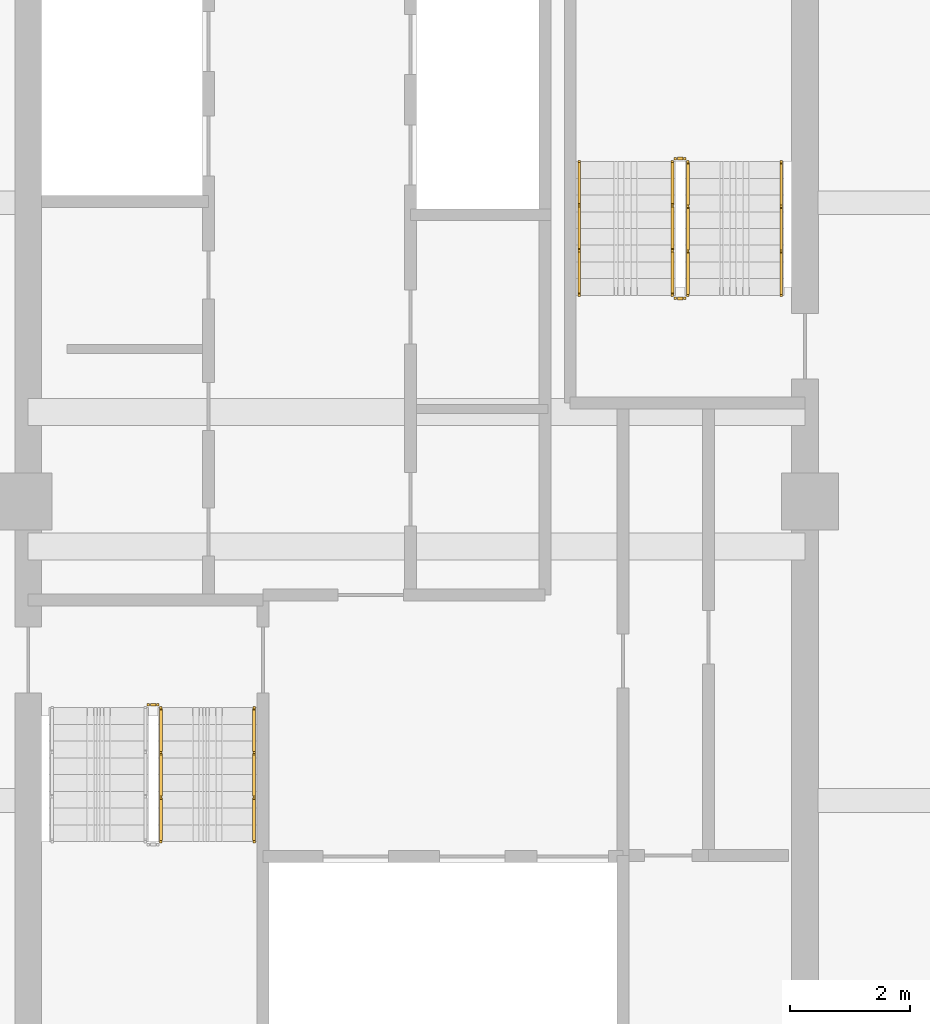
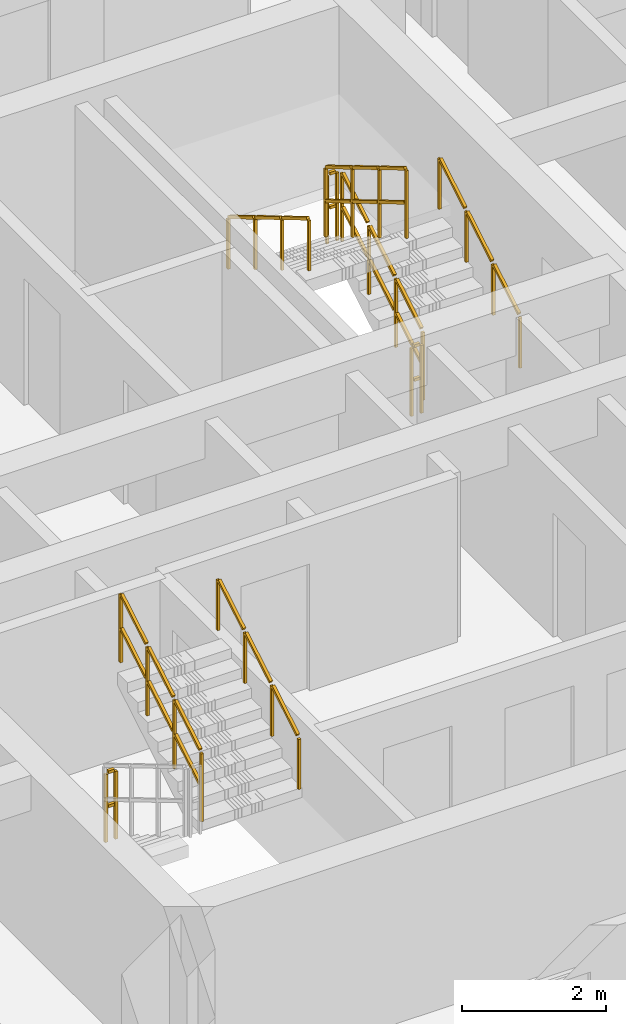
# One storey, part 12 of 14: 9 railings.
"""IFC4 building model written with IfcOpenShell, lengths in metres."""

from ifc_helpers import new_model, si_unit, direction, frame, origin, origin_2d, place, context, subcontext, project, spatial, rectangle, extrude, material, type_object, element, save


model = new_model("IFC4")

# Units and contexts
model_context = context("Model", 3, precision=1e-05, world=origin(), true_north=direction((0.0, 1.0)))
body_context = subcontext(model_context, "Body", "Model", "MODEL_VIEW")
ifc_project = project(units=[si_unit("LENGTHUNIT", "METRE"), si_unit("AREAUNIT", "SQUARE_METRE"), si_unit("VOLUMEUNIT", "CUBIC_METRE"), si_unit("PLANEANGLEUNIT", "RADIAN"), si_unit("MASSUNIT", "GRAM", prefix="KILO")], contexts=[model_context])

# Site, building, storey
site_placement = place(None, origin())
site = spatial("IfcSite", under=ifc_project, at=site_placement, CompositionType="ELEMENT")
building_placement = place(site_placement, origin())
building = spatial("IfcBuilding", under=site, at=building_placement, Name="Saelheon Loggia Tower", CompositionType="ELEMENT")
storey_placement = place(building_placement, frame((0.0, 0.0, 210.300048828125)))
storey = spatial("IfcBuildingStorey", under=building, at=storey_placement, Name="L65", CompositionType="ELEMENT", Elevation=210.300048828125)

# Railings
ifc_material_1 = material(Name="Galvanised Steel S275 Stairwell Guardrail", Category="steel")
railing_type_1 = type_object("IfcRailingType", Name="Guard_StairWell_RL_STG", PredefinedType="GUARDRAIL", material=ifc_material_1)
railing_1_placement = place(storey_placement, frame((33.719970703125, 21.31005859375, 1.66650390625)))
element("IfcRailing", 1, at=railing_1_placement, inside=storey, type_object=railing_type_1, Name="L65 ST1 stair guard 3", PredefinedType="GUARDRAIL", context=body_context, shape_type="SweptSolid", body=[
    extrude(rectangle(XDim=0.048095703125, YDim=0.048095703125, at=origin_2d()), frame((0.0, 0.028564453125, 1.19287109375), z_axis=(0.0, 0.859264461869, 0.511531606619), x_axis=(-1.0, 0.0, 0.0)), (0.0, 0.0, 1.0), 0.802490234375),
    extrude(rectangle(XDim=0.048095703125, YDim=0.048095703125, at=origin_2d()), frame((0.0, 0.028564453125, 0.616943359375), z_axis=(0.0, 0.859264461869, 0.511531606619), x_axis=(-1.0, 0.0, 0.0)), (0.0, 0.0, 1.0), 0.802490234375),
    extrude(rectangle(XDim=0.048095703125, YDim=0.048095703125, at=origin_2d()), frame((0.0, 0.775146484375, 1.637451171875), z_axis=(0.0, 0.859264461869, 0.511531606619), x_axis=(-1.0, 0.0, 0.0)), (0.0, 0.0, 1.0), 0.802490234375),
    extrude(rectangle(XDim=0.048095703125, YDim=0.048095703125, at=origin_2d()), frame((0.0, 0.775146484375, 1.0615234375), z_axis=(0.0, 0.859264461869, 0.511531606619), x_axis=(-1.0, 0.0, 0.0)), (0.0, 0.0, 1.0), 0.802490234375),
    extrude(rectangle(XDim=0.048095703125, YDim=0.048095703125, at=origin_2d()), frame((0.0, 1.52197265625, 2.081787109375), z_axis=(0.0, 0.859264461869, 0.511531606619), x_axis=(-1.0, 0.0, 0.0)), (0.0, 0.0, 1.0), 0.802490234375),
    extrude(rectangle(XDim=0.048095703125, YDim=0.048095703125, at=origin_2d()), frame((0.0, 1.52197265625, 1.505859375), z_axis=(0.0, 0.859264461869, 0.511531606619), x_axis=(-1.0, 0.0, 0.0)), (0.0, 0.0, 1.0), 0.802490234375),
    extrude(rectangle(XDim=0.0419921875, YDim=0.0419921875, at=origin_2d()), origin(), (0.0, 0.0, 1.0), 1.14794921875),
    extrude(rectangle(XDim=0.0419921875, YDim=0.0419921875, at=origin_2d()), frame((0.0, 0.74658203125, 0.444580078125)), (0.0, 0.0, 1.0), 1.14794921875),
    extrude(rectangle(XDim=0.0419921875, YDim=0.0419921875, at=origin_2d()), frame((0.0, 1.493408203125, 0.888916015625)), (0.0, 0.0, 1.0), 1.14794921875),
    extrude(rectangle(XDim=0.0419921875, YDim=0.0419921875, at=origin_2d()), frame((0.0, 2.239990234375, 1.33349609375)), (0.0, 0.0, 1.0), 1.14794921875),
])
railing_2_placement = place(storey_placement, frame((33.510009765625, 23.60009765625, 0.0)))
element("IfcRailing", 2, at=railing_2_placement, inside=storey, type_object=railing_type_1, Name="L65 ST1 stair guard 4", PredefinedType="GUARDRAIL", context=body_context, shape_type="SweptSolid", body=[
    extrude(rectangle(XDim=0.048095703125, YDim=0.048095703125, at=origin_2d()), frame((0.033203125, 0.0, 1.17578125), z_axis=(1.0, 0.0, 0.0), x_axis=(0.0, 1.0, 0.0)), (0.0, 0.0, 1.0), 0.093505859375),
    extrude(rectangle(XDim=0.048095703125, YDim=0.048095703125, at=origin_2d()), frame((0.033203125, 0.0, 0.60009765625), z_axis=(1.0, 0.0, 0.0), x_axis=(0.0, 1.0, 0.0)), (0.0, 0.0, 1.0), 0.093505859375),
    extrude(rectangle(XDim=0.0419921875, YDim=0.0419921875, at=origin_2d()), origin(), (0.0, 0.0, 1.0), 1.14794921875),
    extrude(rectangle(XDim=0.0419921875, YDim=0.0419921875, at=origin_2d()), frame((0.159912109375, 0.0, 0.0)), (0.0, 0.0, 1.0), 1.14794921875),
])
railing_3_placement = place(storey_placement, frame((42.5400390625, 30.449951171875, 0.16650390625)))
element("IfcRailing", 3, at=railing_3_placement, inside=storey, type_object=railing_type_1, Name="L65 ST2 stair guard 1", PredefinedType="GUARDRAIL", context=body_context, shape_type="SweptSolid", body=[
    extrude(rectangle(XDim=0.048095703125, YDim=0.048095703125, at=origin_2d()), frame((0.0, 0.028564453125, 1.19287109375), z_axis=(0.0, 0.859264461869, 0.511531606619), x_axis=(-1.0, 0.0, 0.0)), (0.0, 0.0, 1.0), 0.802490234375),
    extrude(rectangle(XDim=0.048095703125, YDim=0.048095703125, at=origin_2d()), frame((0.0, 0.028564453125, 0.616943359375), z_axis=(0.0, 0.859264461869, 0.511531606619), x_axis=(-1.0, 0.0, 0.0)), (0.0, 0.0, 1.0), 0.802490234375),
    extrude(rectangle(XDim=0.048095703125, YDim=0.048095703125, at=origin_2d()), frame((0.0, 0.775146484375, 1.637451171875), z_axis=(0.0, 0.859264461869, 0.511531606619), x_axis=(-1.0, 0.0, 0.0)), (0.0, 0.0, 1.0), 0.802490234375),
    extrude(rectangle(XDim=0.048095703125, YDim=0.048095703125, at=origin_2d()), frame((0.0, 0.775146484375, 1.0615234375), z_axis=(0.0, 0.859264461869, 0.511531606619), x_axis=(-1.0, 0.0, 0.0)), (0.0, 0.0, 1.0), 0.802490234375),
    extrude(rectangle(XDim=0.048095703125, YDim=0.048095703125, at=origin_2d()), frame((0.0, 1.52197265625, 2.081787109375), z_axis=(0.0, 0.859264461869, 0.511531606619), x_axis=(-1.0, 0.0, 0.0)), (0.0, 0.0, 1.0), 0.802490234375),
    extrude(rectangle(XDim=0.048095703125, YDim=0.048095703125, at=origin_2d()), frame((0.0, 1.52197265625, 1.505859375), z_axis=(0.0, 0.859264461869, 0.511531606619), x_axis=(-1.0, 0.0, 0.0)), (0.0, 0.0, 1.0), 0.802490234375),
    extrude(rectangle(XDim=0.0419921875, YDim=0.0419921875, at=origin_2d()), origin(), (0.0, 0.0, 1.0), 1.14794921875),
    extrude(rectangle(XDim=0.0419921875, YDim=0.0419921875, at=origin_2d()), frame((0.0, 0.74658203125, 0.444580078125)), (0.0, 0.0, 1.0), 1.14794921875),
    extrude(rectangle(XDim=0.0419921875, YDim=0.0419921875, at=origin_2d()), frame((0.0, 1.493408203125, 0.888916015625)), (0.0, 0.0, 1.0), 1.14794921875),
    extrude(rectangle(XDim=0.0419921875, YDim=0.0419921875, at=origin_2d()), frame((0.0, 2.239990234375, 1.33349609375)), (0.0, 0.0, 1.0), 1.14794921875),
])
railing_4_placement = place(storey_placement, frame((42.489990234375, 32.739990234375, 1.5)))
element("IfcRailing", 4, at=railing_4_placement, inside=storey, type_object=railing_type_1, Name="L65 ST2 stair guard 2", PredefinedType="GUARDRAIL", context=body_context, shape_type="SweptSolid", body=[
    extrude(rectangle(XDim=0.048095703125, YDim=0.048095703125, at=origin_2d()), frame((-0.033203125, 0.0, 1.17578125), z_axis=(-1.0, 0.0, 0.0), x_axis=(0.0, -1.0, 0.0)), (0.0, 0.0, 1.0), 0.093505859375),
    extrude(rectangle(XDim=0.048095703125, YDim=0.048095703125, at=origin_2d()), frame((-0.033203125, 0.0, 0.60009765625), z_axis=(-1.0, 0.0, 0.0), x_axis=(0.0, -1.0, 0.0)), (0.0, 0.0, 1.0), 0.093505859375),
    extrude(rectangle(XDim=0.0419921875, YDim=0.0419921875, at=origin_2d()), origin(), (0.0, 0.0, 1.0), 1.14794921875),
    extrude(rectangle(XDim=0.0419921875, YDim=0.0419921875, at=origin_2d()), frame((-0.159912109375, 0.0, 0.0)), (0.0, 0.0, 1.0), 1.14794921875),
])
railing_5_placement = place(storey_placement, frame((42.280029296875, 32.68994140625, 1.66650390625)))
element("IfcRailing", 5, at=railing_5_placement, inside=storey, type_object=railing_type_1, Name="L65 ST2 stair guard 3", PredefinedType="GUARDRAIL", context=body_context, shape_type="SweptSolid", body=[
    extrude(rectangle(XDim=0.048095703125, YDim=0.048095703125, at=origin_2d()), frame((0.0, -0.028564453125, 1.19287109375), z_axis=(0.0, -0.859264461869, 0.511531606619), x_axis=(1.0, 0.0, 0.0)), (0.0, 0.0, 1.0), 0.802490234375),
    extrude(rectangle(XDim=0.048095703125, YDim=0.048095703125, at=origin_2d()), frame((0.0, -0.028564453125, 0.616943359375), z_axis=(0.0, -0.859264461869, 0.511531606619), x_axis=(1.0, 0.0, 0.0)), (0.0, 0.0, 1.0), 0.802490234375),
    extrude(rectangle(XDim=0.048095703125, YDim=0.048095703125, at=origin_2d()), frame((0.0, -0.775146484375, 1.637451171875), z_axis=(0.0, -0.859264461869, 0.511531606619), x_axis=(1.0, 0.0, 0.0)), (0.0, 0.0, 1.0), 0.802490234375),
    extrude(rectangle(XDim=0.048095703125, YDim=0.048095703125, at=origin_2d()), frame((0.0, -0.775146484375, 1.0615234375), z_axis=(0.0, -0.859264461869, 0.511531606619), x_axis=(1.0, 0.0, 0.0)), (0.0, 0.0, 1.0), 0.802490234375),
    extrude(rectangle(XDim=0.048095703125, YDim=0.048095703125, at=origin_2d()), frame((0.0, -1.52197265625, 2.081787109375), z_axis=(0.0, -0.859264461869, 0.511531606619), x_axis=(1.0, 0.0, 0.0)), (0.0, 0.0, 1.0), 0.802490234375),
    extrude(rectangle(XDim=0.048095703125, YDim=0.048095703125, at=origin_2d()), frame((0.0, -1.52197265625, 1.505859375), z_axis=(0.0, -0.859264461869, 0.511531606619), x_axis=(1.0, 0.0, 0.0)), (0.0, 0.0, 1.0), 0.802490234375),
    extrude(rectangle(XDim=0.0419921875, YDim=0.0419921875, at=origin_2d()), origin(), (0.0, 0.0, 1.0), 1.14794921875),
    extrude(rectangle(XDim=0.0419921875, YDim=0.0419921875, at=origin_2d()), frame((0.0, -0.74658203125, 0.444580078125)), (0.0, 0.0, 1.0), 1.14794921875),
    extrude(rectangle(XDim=0.0419921875, YDim=0.0419921875, at=origin_2d()), frame((0.0, -1.493408203125, 0.888916015625)), (0.0, 0.0, 1.0), 1.14794921875),
    extrude(rectangle(XDim=0.0419921875, YDim=0.0419921875, at=origin_2d()), frame((0.0, -2.239990234375, 1.33349609375)), (0.0, 0.0, 1.0), 1.14794921875),
])
railing_6_placement = place(storey_placement, frame((42.489990234375, 30.39990234375, 0.0)))
element("IfcRailing", 6, at=railing_6_placement, inside=storey, type_object=railing_type_1, Name="L65 ST2 stair guard 4", PredefinedType="GUARDRAIL", context=body_context, shape_type="SweptSolid", body=[
    extrude(rectangle(XDim=0.048095703125, YDim=0.048095703125, at=origin_2d()), frame((-0.033203125, 0.0, 1.17578125), z_axis=(-1.0, 0.0, 0.0), x_axis=(0.0, -1.0, 0.0)), (0.0, 0.0, 1.0), 0.093505859375),
    extrude(rectangle(XDim=0.048095703125, YDim=0.048095703125, at=origin_2d()), frame((-0.033203125, 0.0, 0.60009765625), z_axis=(-1.0, 0.0, 0.0), x_axis=(0.0, -1.0, 0.0)), (0.0, 0.0, 1.0), 0.093505859375),
    extrude(rectangle(XDim=0.0419921875, YDim=0.0419921875, at=origin_2d()), origin(), (0.0, 0.0, 1.0), 1.14794921875),
    extrude(rectangle(XDim=0.0419921875, YDim=0.0419921875, at=origin_2d()), frame((-0.159912109375, 0.0, 0.0)), (0.0, 0.0, 1.0), 1.14794921875),
])
ifc_material_2 = material(Name="Stainless Steel 304 Tubular Handrail", Category="steel")
railing_type_2 = type_object("IfcRailingType", Name="Handrail_Stair_RL_HR1", PredefinedType="HANDRAIL", material=ifc_material_2)
for number, where, name in (
    (7, (35.280029296875, 21.31005859375, 1.66650390625), "L65 ST1 stair handrail 2"),
    (8, (44.10009765625, 30.449951171875, 0.16650390625), "L65 ST2 stair handrail 1"),
):
    element("IfcRailing", number, at=place(storey_placement, frame(where)), inside=storey, type_object=railing_type_2, Name=name, PredefinedType="HANDRAIL", context=body_context, shape_type="SweptSolid", body=[
        extrude(rectangle(XDim=0.048095703125, YDim=0.048095703125, at=origin_2d()), frame((0.0, 0.028564453125, 0.892822265625), z_axis=(0.0, 0.859264461869, 0.511531606619), x_axis=(-1.0, 0.0, 0.0)), (0.0, 0.0, 1.0), 0.802490234375),
        extrude(rectangle(XDim=0.048095703125, YDim=0.048095703125, at=origin_2d()), frame((0.0, 0.775146484375, 1.33740234375), z_axis=(0.0, 0.859264461869, 0.511531606619), x_axis=(-1.0, 0.0, 0.0)), (0.0, 0.0, 1.0), 0.802490234375),
        extrude(rectangle(XDim=0.048095703125, YDim=0.048095703125, at=origin_2d()), frame((0.0, 1.52197265625, 1.78173828125), z_axis=(0.0, 0.859264461869, 0.511531606619), x_axis=(-1.0, 0.0, 0.0)), (0.0, 0.0, 1.0), 0.802490234375),
        extrude(rectangle(XDim=0.0419921875, YDim=0.0419921875, at=origin_2d()), origin(), (0.0, 0.0, 1.0), 0.847900390625),
        extrude(rectangle(XDim=0.0419921875, YDim=0.0419921875, at=origin_2d()), frame((0.0, 0.74658203125, 0.444580078125)), (0.0, 0.0, 1.0), 0.847900390625),
        extrude(rectangle(XDim=0.0419921875, YDim=0.0419921875, at=origin_2d()), frame((0.0, 1.493408203125, 0.888916015625)), (0.0, 0.0, 1.0), 0.847900390625),
        extrude(rectangle(XDim=0.0419921875, YDim=0.0419921875, at=origin_2d()), frame((0.0, 2.239990234375, 1.33349609375)), (0.0, 0.0, 1.0), 0.847900390625),
    ])
railing_7_placement = place(storey_placement, frame((40.719970703125, 32.68994140625, 1.66650390625)))
element("IfcRailing", 9, at=railing_7_placement, inside=storey, type_object=railing_type_2, Name="L65 ST2 stair handrail 2", PredefinedType="HANDRAIL", context=body_context, shape_type="SweptSolid", body=[
    extrude(rectangle(XDim=0.048095703125, YDim=0.048095703125, at=origin_2d()), frame((0.0, -0.028564453125, 0.892822265625), z_axis=(0.0, -0.859264461869, 0.511531606619), x_axis=(1.0, 0.0, 0.0)), (0.0, 0.0, 1.0), 0.802490234375),
    extrude(rectangle(XDim=0.048095703125, YDim=0.048095703125, at=origin_2d()), frame((0.0, -0.775146484375, 1.33740234375), z_axis=(0.0, -0.859264461869, 0.511531606619), x_axis=(1.0, 0.0, 0.0)), (0.0, 0.0, 1.0), 0.802490234375),
    extrude(rectangle(XDim=0.048095703125, YDim=0.048095703125, at=origin_2d()), frame((0.0, -1.52197265625, 1.78173828125), z_axis=(0.0, -0.859264461869, 0.511531606619), x_axis=(1.0, 0.0, 0.0)), (0.0, 0.0, 1.0), 0.802490234375),
    extrude(rectangle(XDim=0.0419921875, YDim=0.0419921875, at=origin_2d()), origin(), (0.0, 0.0, 1.0), 0.847900390625),
    extrude(rectangle(XDim=0.0419921875, YDim=0.0419921875, at=origin_2d()), frame((0.0, -0.74658203125, 0.444580078125)), (0.0, 0.0, 1.0), 0.847900390625),
    extrude(rectangle(XDim=0.0419921875, YDim=0.0419921875, at=origin_2d()), frame((0.0, -1.493408203125, 0.888916015625)), (0.0, 0.0, 1.0), 0.847900390625),
    extrude(rectangle(XDim=0.0419921875, YDim=0.0419921875, at=origin_2d()), frame((0.0, -2.239990234375, 1.33349609375)), (0.0, 0.0, 1.0), 0.847900390625),
])

save(model, "model.ifc")
